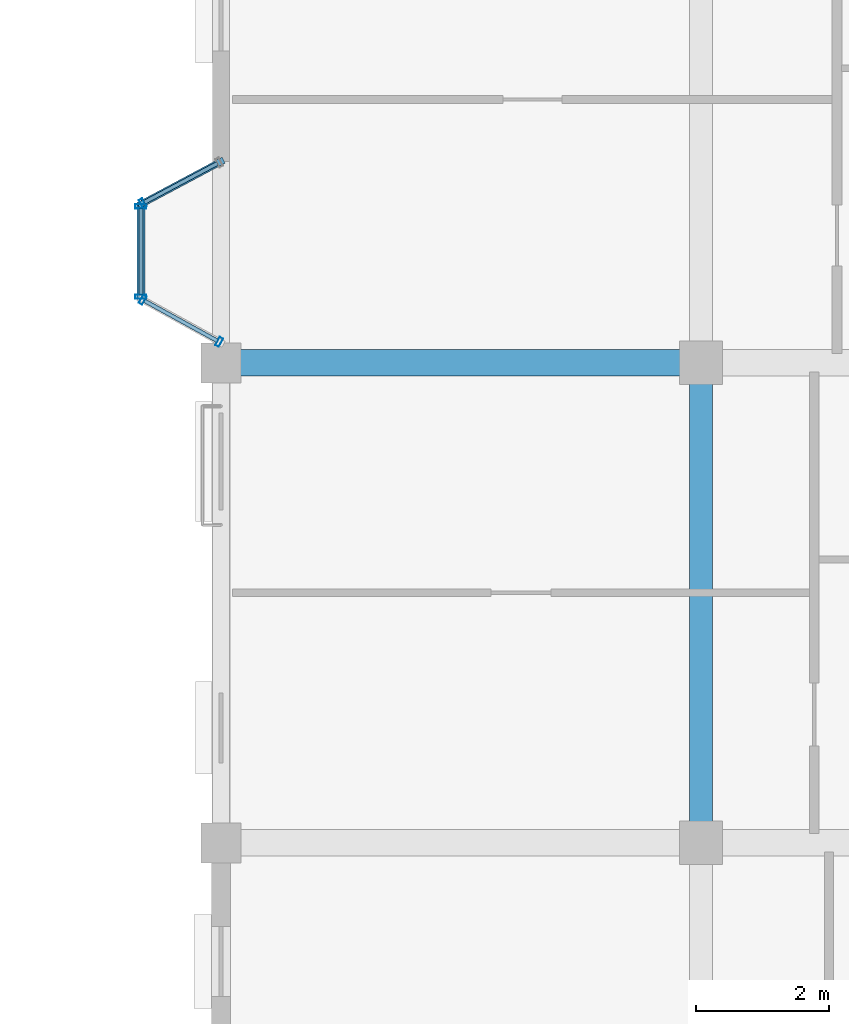
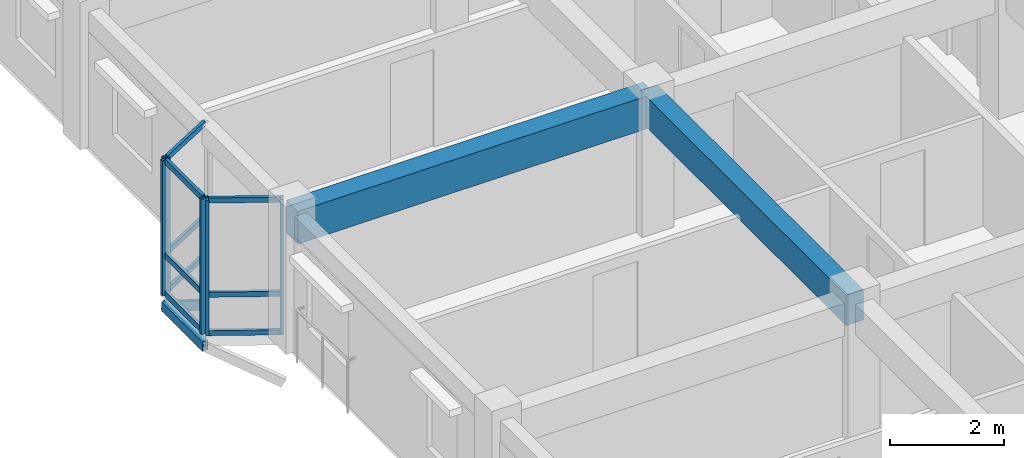
# One storey, part 52 of 124: 16 members, 2 beams, 3 elements without a shape of their own.
"""IFC4 building model written with IfcOpenShell, lengths in metres."""

from ifc_helpers import new_model, si_unit, direction, frame, origin, origin_2d, place, context, subcontext, project, spatial, rectangle, hollow_rectangle, extrude, material, layer, layer_set, material_profile, profile_set, type_object, element, aggregate, save


model = new_model("IFC4")

# Units and contexts
model_context = context("Model", 3, precision=1e-05, world=origin(), true_north=direction((0.0, 1.0)))
body_context = subcontext(model_context, "Body", "Model", "MODEL_VIEW")
ifc_project = project(units=[si_unit("LENGTHUNIT", "METRE"), si_unit("AREAUNIT", "SQUARE_METRE"), si_unit("VOLUMEUNIT", "CUBIC_METRE"), si_unit("PLANEANGLEUNIT", "RADIAN"), si_unit("MASSUNIT", "GRAM", prefix="KILO"), si_unit("THERMODYNAMICTEMPERATUREUNIT", "KELVIN"), si_unit("POWERUNIT", "WATT")], contexts=[model_context])

# Site, building, storey
site_placement = place(None, origin())
site = spatial("IfcSite", under=ifc_project, at=site_placement, CompositionType="ELEMENT")
building_placement = place(site_placement, origin())
building = spatial("IfcBuilding", under=site, at=building_placement, Name="Tavuni Mirador Residences", CompositionType="ELEMENT")
storey_placement = place(building_placement, frame((0.0, 0.0, 7.64990234375)))
storey = spatial("IfcBuildingStorey", under=building, at=storey_placement, Name="L02", CompositionType="ELEMENT", Elevation=7.64990234375)

# Beams
ifc_material_1 = material(Name="Precast concrete C40/50", Category="concrete")
ifc_material_profile_1 = material_profile(ifc_material_1, rectangle(XDim=0.35009765625, YDim=0.64990234375, at=origin_2d()), Name="PC 350x650", Category="concrete")
ifc_profile_set_1 = profile_set([ifc_material_profile_1], Name="Precast concrete C40/50")
beam_type_1 = type_object("IfcBeamType", Name="BT-B650", PredefinedType="BEAM", material=ifc_profile_set_1)
beam_1_placement = place(storey_placement, frame((97.199951171875, 100.800048828125, 2.565185546875), z_axis=(0.0, 1.0, 0.0), x_axis=(-1.0, 0.0, 0.0)))
element("IfcBeam", 1, at=beam_1_placement, inside=storey, type_object=beam_type_1, Name="BMY-BLK-D-L02-01-02", PredefinedType="BEAM", context=body_context, shape_type="SweptSolid", body=[
    extrude(rectangle(XDim=0.35009765625, YDim=0.64990234375, at=origin_2d()), origin(), (0.0, 0.0, 1.0), 7.199951171875),
])
ifc_material_profile_2 = material_profile(ifc_material_1, rectangle(XDim=0.39990234375, YDim=0.699951171875, at=origin_2d()), Name="PC 400x700", Category="concrete")
ifc_profile_set_2 = profile_set([ifc_material_profile_2], Name="Precast concrete C40/50")
beam_type_2 = type_object("IfcBeamType", Name="BT-B700", PredefinedType="BEAM", material=ifc_profile_set_2)
beam_2_placement = place(storey_placement, frame((90.0, 108.0, 2.5400390625), z_axis=(1.0, 0.0, 0.0), x_axis=(0.0, 1.0, 0.0)))
element("IfcBeam", 2, at=beam_2_placement, inside=storey, type_object=beam_type_2, Name="BMX-BLK-D-L02-00-03", PredefinedType="BEAM", context=body_context, shape_type="SweptSolid", body=[
    extrude(rectangle(XDim=0.39990234375, YDim=0.699951171875, at=origin_2d()), origin(), (0.0, 0.0, 1.0), 7.199951171875),
])

# Curtain wall, member
ifc_material_2 = material(Name="Anodised aluminium", Category="aluminium")
ifc_layer_1 = layer(ifc_material_2, 0.1650390625, Name="Anodised aluminium", Category="aluminium")
ifc_layer_set_1 = layer_set([ifc_layer_1], Name="Anodised aluminium")
curtain_wall_type_1 = type_object("IfcCurtainWallType", Name="CWT-MIR-A", PredefinedType="NOTDEFINED", material=ifc_layer_set_1)
curtain_wall_1_placement = place(storey_placement, origin())
curtain_wall_1 = element("IfcCurtainWall", 3, at=curtain_wall_1_placement, inside=storey, type_object=curtain_wall_type_1, Name="CW-MIR-D-W2-L02-M1", PredefinedType="NOTDEFINED")
ifc_material_profile_3 = material_profile(ifc_material_2, hollow_rectangle(XDim=0.06005859375, YDim=0.139892578125, WallThickness=0.00390625, at=origin_2d()), Name="ALU 60x140x4.0", Category="aluminium")
ifc_profile_set_3 = profile_set([ifc_material_profile_3], Name="Anodised aluminium")
member_type_1 = type_object("IfcMemberType", Name="CWM-140", PredefinedType="MULLION", material=ifc_profile_set_3)
member_1_placement = place(storey_placement, frame((88.826416015625, 110.39404296875, 0.0), z_axis=(0.0, 0.0, 1.0), x_axis=(-0.882352941175, -0.470588235296, 0.0)))
member_1 = element("IfcMember", 4, at=member_1_placement, type_object=member_type_1, Name="CW-01 mullion 2", PredefinedType="MULLION", context=body_context, shape_type="SweptSolid", body=[
    extrude(hollow_rectangle(XDim=0.06005859375, YDim=0.139892578125, WallThickness=0.00390625, at=origin_2d()), origin(), (0.0, 0.0, 1.0), 2.89013671875),
])

# Curtain wall, members
ifc_layer_2 = layer(ifc_material_2, 0.175048828125, Name="Anodised aluminium", Category="aluminium")
ifc_layer_set_2 = layer_set([ifc_layer_2], Name="Anodised aluminium")
curtain_wall_type_2 = type_object("IfcCurtainWallType", Name="CWT-MIR-C", PredefinedType="NOTDEFINED", material=ifc_layer_set_2)
curtain_wall_2_placement = place(storey_placement, origin())
curtain_wall_2 = element("IfcCurtainWall", 5, at=curtain_wall_2_placement, inside=storey, type_object=curtain_wall_type_2, Name="CW-MIR-D-W2-L02-M2", PredefinedType="NOTDEFINED")
member_2_placement = place(storey_placement, frame((88.826171875, 108.945556640625, 0.0), z_axis=(0.0, 0.0, 1.0), x_axis=(0.876215908676, -0.481918749773, 0.0)))
member_2 = element("IfcMember", 6, at=member_2_placement, type_object=member_type_1, Name="CW-03 mullion 1", PredefinedType="MULLION", context=body_context, shape_type="SweptSolid", body=[
    extrude(hollow_rectangle(XDim=0.06005859375, YDim=0.139892578125, WallThickness=0.00390625, at=origin_2d()), origin(), (0.0, 0.0, 1.0), 2.89013671875),
])
member_3_placement = place(storey_placement, frame((89.9736328125, 108.314453125, 0.0), z_axis=(0.0, 0.0, 1.0), x_axis=(0.876215908676, -0.481918749773, 0.0)))
member_3 = element("IfcMember", 7, at=member_3_placement, type_object=member_type_1, Name="CW-03 mullion 2", PredefinedType="MULLION", context=body_context, shape_type="SweptSolid", body=[
    extrude(hollow_rectangle(XDim=0.06005859375, YDim=0.139892578125, WallThickness=0.00390625, at=origin_2d()), origin(), (0.0, 0.0, 1.0), 2.89013671875),
])

ifc_layer_3 = layer(ifc_material_2, 0.14990234375, Name="Anodised aluminium", Category="aluminium")
ifc_layer_set_3 = layer_set([ifc_layer_3], Name="Anodised aluminium")
curtain_wall_type_3 = type_object("IfcCurtainWallType", Name="CWT-MIR-B", PredefinedType="NOTDEFINED", material=ifc_layer_set_3)
curtain_wall_3_placement = place(storey_placement, origin())
curtain_wall_3 = element("IfcCurtainWall", 8, at=curtain_wall_3_placement, inside=storey, type_object=curtain_wall_type_3, Name="CW-MIR-D-W2-L02-MF", PredefinedType="NOTDEFINED")
ifc_material_profile_4 = material_profile(ifc_material_2, hollow_rectangle(XDim=0.06494140625, YDim=0.1650390625, WallThickness=0.00439453125, at=origin_2d()), Name="ALU 65x165x4.5", Category="aluminium")
ifc_profile_set_4 = profile_set([ifc_material_profile_4], Name="Anodised aluminium")
member_type_2 = type_object("IfcMemberType", Name="CWM-165", PredefinedType="MULLION", material=ifc_profile_set_4)
member_4_placement = place(storey_placement, frame((88.800048828125, 110.347412109375, 0.0), z_axis=(0.0, 0.0, 1.0), x_axis=(0.0, -1.0, 0.0)))
member_4 = element("IfcMember", 9, at=member_4_placement, type_object=member_type_2, Name="CW-02 mullion 1", PredefinedType="MULLION", context=body_context, shape_type="SweptSolid", body=[
    extrude(hollow_rectangle(XDim=0.06494140625, YDim=0.1650390625, WallThickness=0.00439453125, at=origin_2d()), origin(), (0.0, 0.0, 1.0), 2.89013671875),
])
member_5_placement = place(storey_placement, frame((88.800048828125, 108.992431640625, 0.0), z_axis=(0.0, 0.0, 1.0), x_axis=(0.0, -1.0, 0.0)))
member_5 = element("IfcMember", 10, at=member_5_placement, type_object=member_type_2, Name="CW-02 mullion 2", PredefinedType="MULLION", context=body_context, shape_type="SweptSolid", body=[
    extrude(hollow_rectangle(XDim=0.06494140625, YDim=0.1650390625, WallThickness=0.00439453125, at=origin_2d()), origin(), (0.0, 0.0, 1.0), 2.89013671875),
])

# Member
ifc_material_profile_5 = material_profile(ifc_material_2, hollow_rectangle(XDim=0.06005859375, YDim=0.110107421875, WallThickness=0.00390625, at=origin_2d()), Name="ALU 60x110x4.0", Category="aluminium")
ifc_profile_set_5 = profile_set([ifc_material_profile_5], Name="Anodised aluminium")
member_type_3 = type_object("IfcMemberType", Name="CWT-110", PredefinedType="USERDEFINED", material=ifc_profile_set_5)
member_6_placement = place(storey_placement, frame((89.947021484375, 110.99169921875, 0.030029296875), z_axis=(-0.882342039492, -0.470608675382, 0.0), x_axis=(0.470608675382, -0.882342039492, 0.0)))
member_6 = element("IfcMember", 11, at=member_6_placement, type_object=member_type_3, Name="CW-01 transom 1.1", ObjectType="TRANSOM", PredefinedType="USERDEFINED", context=body_context, shape_type="SweptSolid", body=[
    extrude(hollow_rectangle(XDim=0.06005859375, YDim=0.110107421875, WallThickness=0.00390625, at=origin_2d()), origin(), (0.0, 0.0, 1.0), 1.239990234375),
])

member_7_placement = place(storey_placement, frame((89.947021484375, 110.99169921875, 0.85009765625), z_axis=(-0.882342039492, -0.470608675382, 0.0), x_axis=(0.470608675382, -0.882342039492, 0.0)))
member_7 = element("IfcMember", 12, at=member_7_placement, type_object=member_type_3, Name="CW-01 transom 1.2", ObjectType="TRANSOM", PredefinedType="USERDEFINED", context=body_context, shape_type="SweptSolid", body=[
    extrude(hollow_rectangle(XDim=0.06005859375, YDim=0.110107421875, WallThickness=0.00390625, at=origin_2d()), origin(), (0.0, 0.0, 1.0), 1.239990234375),
])

member_8_placement = place(storey_placement, frame((89.947021484375, 110.99169921875, 2.860107421875), z_axis=(-0.882342039492, -0.470608675382, 0.0), x_axis=(0.470608675382, -0.882342039492, 0.0)))
member_8 = element("IfcMember", 13, at=member_8_placement, type_object=member_type_3, Name="CW-01 transom 1.3", ObjectType="TRANSOM", PredefinedType="USERDEFINED", context=body_context, shape_type="SweptSolid", body=[
    extrude(hollow_rectangle(XDim=0.06005859375, YDim=0.110107421875, WallThickness=0.00390625, at=origin_2d()), origin(), (0.0, 0.0, 1.0), 1.239990234375),
])

aggregate(curtain_wall_1, [member_1, member_6, member_7, member_8])

member_9_placement = place(storey_placement, frame((88.8525390625, 108.93115234375, 0.030029296875), z_axis=(0.876195284324, -0.481956246695, 0.0), x_axis=(0.481956246695, 0.876195284324, 0.0)))
member_9 = element("IfcMember", 14, at=member_9_placement, type_object=member_type_3, Name="CW-03 transom 1.1", ObjectType="TRANSOM", PredefinedType="USERDEFINED", context=body_context, shape_type="SweptSolid", body=[
    extrude(hollow_rectangle(XDim=0.06005859375, YDim=0.110107421875, WallThickness=0.00390625, at=origin_2d()), origin(), (0.0, 0.0, 1.0), 1.249755859375),
])

member_10_placement = place(storey_placement, frame((88.8525390625, 108.93115234375, 0.85009765625), z_axis=(0.876195284324, -0.481956246695, 0.0), x_axis=(0.481956246695, 0.876195284324, 0.0)))
member_10 = element("IfcMember", 15, at=member_10_placement, type_object=member_type_3, Name="CW-03 transom 1.2", ObjectType="TRANSOM", PredefinedType="USERDEFINED", context=body_context, shape_type="SweptSolid", body=[
    extrude(hollow_rectangle(XDim=0.06005859375, YDim=0.110107421875, WallThickness=0.00390625, at=origin_2d()), origin(), (0.0, 0.0, 1.0), 1.249755859375),
])

member_11_placement = place(storey_placement, frame((88.8525390625, 108.93115234375, 2.860107421875), z_axis=(0.876195284324, -0.481956246695, 0.0), x_axis=(0.481956246695, 0.876195284324, 0.0)))
member_11 = element("IfcMember", 16, at=member_11_placement, type_object=member_type_3, Name="CW-03 transom 1.3", ObjectType="TRANSOM", PredefinedType="USERDEFINED", context=body_context, shape_type="SweptSolid", body=[
    extrude(hollow_rectangle(XDim=0.06005859375, YDim=0.110107421875, WallThickness=0.00390625, at=origin_2d()), origin(), (0.0, 0.0, 1.0), 1.249755859375),
])

aggregate(curtain_wall_2, [member_2, member_3, member_9, member_10, member_11])

ifc_material_profile_6 = material_profile(ifc_material_2, hollow_rectangle(XDim=0.06494140625, YDim=0.125, WallThickness=0.00439453125, at=origin_2d()), Name="ALU 65x125x4.5", Category="aluminium")
ifc_profile_set_6 = profile_set([ifc_material_profile_6], Name="Anodised aluminium")
member_type_4 = type_object("IfcMemberType", Name="CWT-125", PredefinedType="USERDEFINED", material=ifc_profile_set_6)
member_12_placement = place(storey_placement, frame((88.800048828125, 110.31494140625, 0.03271484375), z_axis=(0.0, -1.0, 0.0), x_axis=(1.0, 0.0, 0.0)))
member_12 = element("IfcMember", 17, at=member_12_placement, type_object=member_type_4, Name="CW-02 transom 1.1", ObjectType="TRANSOM", PredefinedType="USERDEFINED", context=body_context, shape_type="SweptSolid", body=[
    extrude(hollow_rectangle(XDim=0.06494140625, YDim=0.125, WallThickness=0.00439453125, at=origin_2d()), origin(), (0.0, 0.0, 1.0), 1.2900390625),
])

member_13_placement = place(storey_placement, frame((88.800048828125, 110.31494140625, 0.85009765625), z_axis=(0.0, -1.0, 0.0), x_axis=(1.0, 0.0, 0.0)))
member_13 = element("IfcMember", 18, at=member_13_placement, type_object=member_type_4, Name="CW-02 transom 1.2", ObjectType="TRANSOM", PredefinedType="USERDEFINED", context=body_context, shape_type="SweptSolid", body=[
    extrude(hollow_rectangle(XDim=0.06494140625, YDim=0.125, WallThickness=0.00439453125, at=origin_2d()), origin(), (0.0, 0.0, 1.0), 1.2900390625),
])

member_14_placement = place(storey_placement, frame((88.800048828125, 110.31494140625, 2.857666015625), z_axis=(0.0, -1.0, 0.0), x_axis=(1.0, 0.0, 0.0)))
member_14 = element("IfcMember", 19, at=member_14_placement, type_object=member_type_4, Name="CW-02 transom 1.3", ObjectType="TRANSOM", PredefinedType="USERDEFINED", context=body_context, shape_type="SweptSolid", body=[
    extrude(hollow_rectangle(XDim=0.06494140625, YDim=0.125, WallThickness=0.00439453125, at=origin_2d()), origin(), (0.0, 0.0, 1.0), 1.2900390625),
])

aggregate(curtain_wall_3, [member_4, member_5, member_12, member_13, member_14])

# Members
ifc_material_3 = material(Name="Structural steel S355", Category="steel")
ifc_material_profile_7 = material_profile(ifc_material_3, hollow_rectangle(XDim=0.10009765625, YDim=0.179931640625, WallThickness=0.008056640625, at=origin_2d()), Name="RHS 180x100x8.0", Category="steel")
ifc_profile_set_7 = profile_set([ifc_material_profile_7], Name="Structural steel S355")
member_type_5 = type_object("IfcMemberType", Name="MT-BR-RHS180", PredefinedType="BRACE", material=ifc_profile_set_7)
member_15_placement = place(storey_placement, frame((90.0, 111.02001953125, -1.0498046875), z_axis=(-0.762980474463, -0.407026409775, 0.502185520832), x_axis=(0.470681405175, -0.882303244255, 0.0)))
element("IfcMember", 20, at=member_15_placement, inside=storey, type_object=member_type_5, Name="MBRK-MIR-D-W2-L02-2", PredefinedType="BRACE", context=body_context, shape_type="SweptSolid", body=[
    extrude(hollow_rectangle(XDim=0.10009765625, YDim=0.179931640625, WallThickness=0.008056640625, at=origin_2d()), origin(), (0.0, 0.0, 1.0), 1.57275390625),
])
ifc_material_profile_8 = material_profile(ifc_material_3, hollow_rectangle(XDim=0.1201171875, YDim=0.199951171875, WallThickness=0.010009765625, at=origin_2d()), Name="RHS 200x120x10.0", Category="steel")
ifc_profile_set_8 = profile_set([ifc_material_profile_8], Name="Structural steel S355")
member_type_6 = type_object("IfcMemberType", Name="MT-ST-RHS200", PredefinedType="STRUT", material=ifc_profile_set_8)
member_16_placement = place(storey_placement, frame((88.800048828125, 108.9599609375, -0.260009765625), z_axis=(0.0, 1.0, 0.0), x_axis=(-1.0, 0.0, 0.0)))
element("IfcMember", 21, at=member_16_placement, inside=storey, type_object=member_type_6, Name="MRIM-MIR-D-W2-L02", PredefinedType="STRUT", context=body_context, shape_type="SweptSolid", body=[
    extrude(hollow_rectangle(XDim=0.1201171875, YDim=0.199951171875, WallThickness=0.010009765625, at=origin_2d()), origin(), (0.0, 0.0, 1.0), 1.419921875),
])

save(model, "model.ifc")
